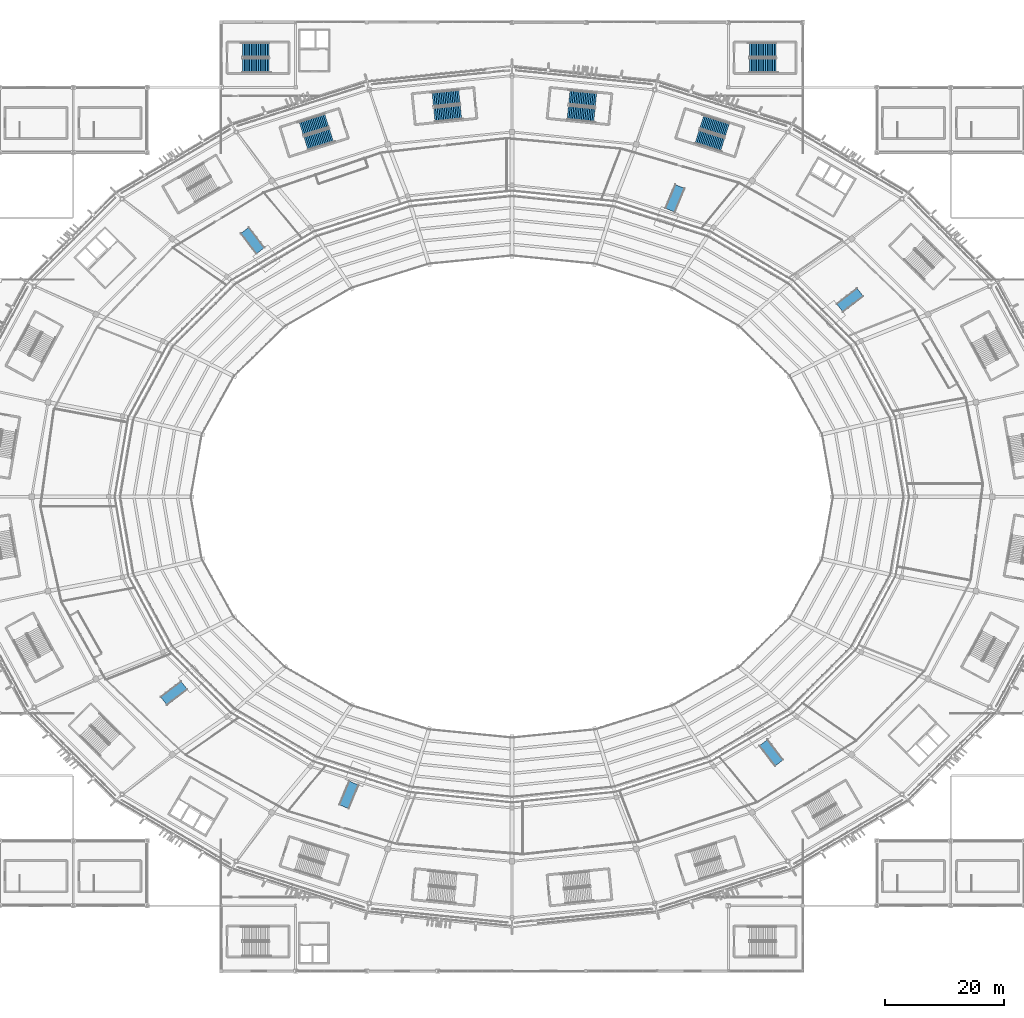
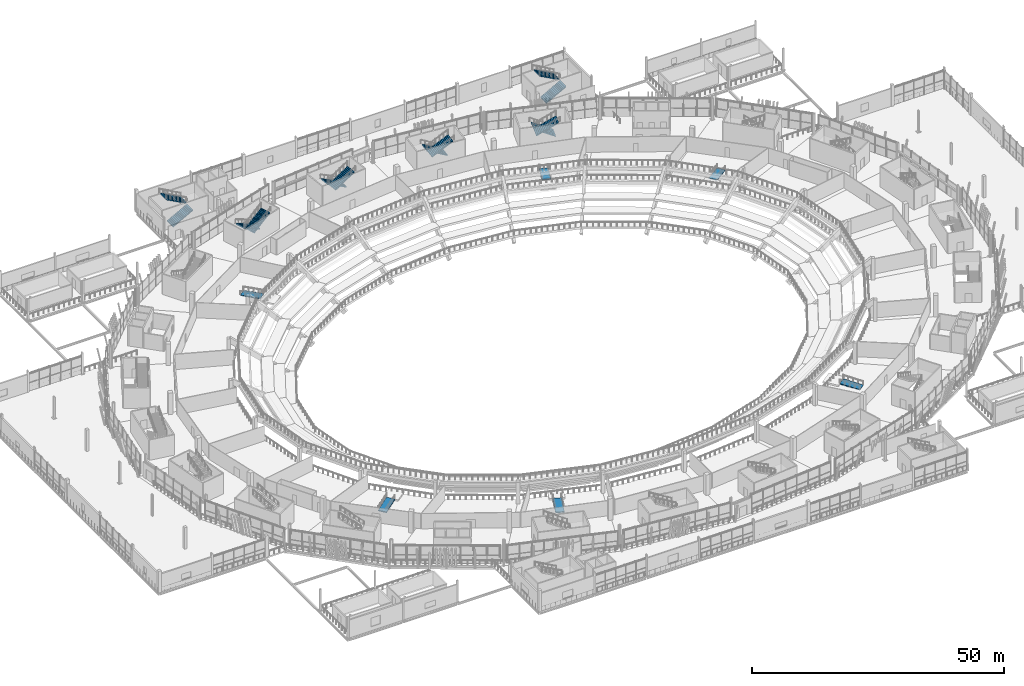
# One storey, part 136 of 178: 12 stair flights, 6 ramp flights, 12 elements without a shape of their own.
"""IFC4 building model written with IfcOpenShell, lengths in metres."""

from ifc_helpers import new_model, si_unit, direction, frame, origin, place, context, subcontext, project, spatial, polyline, outline, extrude, material, layer, layer_set, type_object, element, aggregate, save


model = new_model("IFC4")

# Units and contexts
model_context = context("Model", 3, precision=1e-05, world=origin(), true_north=direction((0.0, 1.0)))
body_context = subcontext(model_context, "Body", "Model", "MODEL_VIEW")
ifc_project = project(units=[si_unit("LENGTHUNIT", "METRE"), si_unit("AREAUNIT", "SQUARE_METRE"), si_unit("VOLUMEUNIT", "CUBIC_METRE"), si_unit("PLANEANGLEUNIT", "RADIAN"), si_unit("MASSUNIT", "GRAM", prefix="KILO")], contexts=[model_context])

# Site, building, storey
site_placement = place(None, origin())
site = spatial("IfcSite", under=ifc_project, at=site_placement, CompositionType="ELEMENT")
building_placement = place(site_placement, origin())
building = spatial("IfcBuilding", under=site, at=building_placement, Name="Zlatoyarsky Gate Stadium", CompositionType="ELEMENT")
storey_placement = place(building_placement, frame((0.0, 0.0, 5.39990234375)))
storey = spatial("IfcBuildingStorey", under=building, at=storey_placement, Name="L01", CompositionType="ELEMENT", Elevation=5.39990234375)

# Stair, stair flights
ifc_material_1 = material(Name="Concrete C40/50", Category="concrete")
stair_type = type_object("IfcStairType", Name="CONCRETE DOGLEG EXIT STAIR H5200", PredefinedType="TWO_STRAIGHT_RUN_STAIR", material=ifc_material_1)
stair_1_placement = place(storey_placement, origin())
stair_1 = element("IfcStair", 1, at=stair_1_placement, inside=storey, type_object=stair_type, Name="L01 Exit Stair ST-03", PredefinedType="TWO_STRAIGHT_RUN_STAIR")
stair_flight_type = type_object("IfcStairFlightType", Name="CONCRETE STAIR FLIGHT 2400 H5200", PredefinedType="STRAIGHT", material=ifc_material_1)
stair_flight_1_placement = place(storey_placement, frame((147.29150390625, 141.820068359375, 0.0), z_axis=(0.0, 0.0, 1.0), x_axis=(-0.953463118711, 0.301509670257, 0.0)))
stair_flight_1 = element("IfcStairFlight", 2, at=stair_flight_1_placement, type_object=stair_flight_type, Name="ST-DG52 flight 1", NumberOfRisers=16, NumberOfTreads=15, PredefinedType="STRAIGHT", RiserHeight=0.1625, TreadLength=0.3, context=body_context, shape_type="SweptSolid", body=[
    extrude(outline(polyline([(-0.006103515625, -0.193359375), (-0.006103515625, 0.0), (0.0, 0.0), (0.0, 0.16259765625), (0.300048828125, 0.16259765625), (0.300048828125, 0.324951171875), (0.60009765625, 0.324951171875), (0.60009765625, 0.487548828125), (0.89990234375, 0.487548828125), (0.89990234375, 0.64990234375), (1.199951171875, 0.64990234375), (1.199951171875, 0.8125), (1.5, 0.8125), (1.5, 0.97509765625), (1.800048828125, 0.97509765625), (1.800048828125, 1.137451171875), (2.10009765625, 1.137451171875), (2.10009765625, 1.300048828125), (2.39990234375, 1.300048828125), (2.39990234375, 1.46240234375), (2.699951171875, 1.46240234375), (2.699951171875, 1.625), (3.0, 1.625), (3.0, 1.78759765625), (3.300048828125, 1.78759765625), (3.300048828125, 1.949951171875), (3.60009765625, 1.949951171875), (3.60009765625, 2.112548828125), (3.89990234375, 2.112548828125), (3.89990234375, 2.27490234375), (4.199951171875, 2.27490234375), (4.199951171875, 2.4375), (4.5, 2.4375), (4.5, 2.60009765625), (4.506103515625, 2.60009765625), (4.506103515625, 2.244140625), (4.5, 2.244140625), (-0.006103515625, -0.193359375)])), frame((0.0, 1.199951171875, 0.0), z_axis=(0.0, -1.0, 0.0), x_axis=(1.0, 0.0, 0.0)), (0.0, 0.0, 1.0), 2.39990234375),
])
stair_flight_2_placement = place(storey_placement, frame((142.217041015625, 140.69775390625, 2.60009765625), z_axis=(0.0, 0.0, 1.0), x_axis=(0.953463118711, -0.301509670257, 0.0)))
stair_flight_2 = element("IfcStairFlight", 3, at=stair_flight_2_placement, type_object=stair_flight_type, Name="ST-DG52 flight 2", NumberOfRisers=16, NumberOfTreads=15, PredefinedType="STRAIGHT", RiserHeight=0.1625, TreadLength=0.3, context=body_context, shape_type="SweptSolid", body=[
    extrude(outline(polyline([(-0.006103515625, -0.193359375), (-0.006103515625, 0.0), (0.0, 0.0), (0.0, 0.16259765625), (0.300048828125, 0.16259765625), (0.300048828125, 0.324951171875), (0.60009765625, 0.324951171875), (0.60009765625, 0.487548828125), (0.89990234375, 0.487548828125), (0.89990234375, 0.64990234375), (1.199951171875, 0.64990234375), (1.199951171875, 0.8125), (1.5, 0.8125), (1.5, 0.97509765625), (1.800048828125, 0.97509765625), (1.800048828125, 1.137451171875), (2.10009765625, 1.137451171875), (2.10009765625, 1.300048828125), (2.39990234375, 1.300048828125), (2.39990234375, 1.46240234375), (2.699951171875, 1.46240234375), (2.699951171875, 1.625), (3.0, 1.625), (3.0, 1.78759765625), (3.300048828125, 1.78759765625), (3.300048828125, 1.949951171875), (3.60009765625, 1.949951171875), (3.60009765625, 2.112548828125), (3.89990234375, 2.112548828125), (3.89990234375, 2.27490234375), (4.199951171875, 2.27490234375), (4.199951171875, 2.4375), (4.5, 2.4375), (4.5, 2.60009765625), (4.506103515625, 2.60009765625), (4.506103515625, 2.244140625), (4.5, 2.244140625), (-0.006103515625, -0.193359375)])), frame((0.0, 1.199951171875, 0.0), z_axis=(0.0, -1.0, 0.0), x_axis=(1.0, 0.0, 0.0)), (0.0, 0.0, 1.0), 2.39990234375),
])
aggregate(stair_1, [stair_flight_1, stair_flight_2])

stair_2_placement = place(storey_placement, origin())
stair_2 = element("IfcStair", 4, at=stair_2_placement, inside=storey, type_object=stair_type, Name="L01 Exit Stair ST-04", PredefinedType="TWO_STRAIGHT_RUN_STAIR")
stair_flight_3_placement = place(storey_placement, frame((102.123779296875, 147.4267578125, 0.0), z_axis=(0.0, 0.0, 1.0), x_axis=(-0.994986861964, -0.100005722426, 0.0)))
stair_flight_3 = element("IfcStairFlight", 5, at=stair_flight_3_placement, type_object=stair_flight_type, Name="ST-DG52 flight 1", NumberOfRisers=16, NumberOfTreads=15, PredefinedType="STRAIGHT", RiserHeight=0.1625, TreadLength=0.3, context=body_context, shape_type="SweptSolid", body=[
    extrude(outline(polyline([(-0.006103515625, -0.193359375), (-0.006103515625, 0.0), (0.0, 0.0), (0.0, 0.16259765625), (0.300048828125, 0.16259765625), (0.300048828125, 0.324951171875), (0.60009765625, 0.324951171875), (0.60009765625, 0.487548828125), (0.89990234375, 0.487548828125), (0.89990234375, 0.64990234375), (1.199951171875, 0.64990234375), (1.199951171875, 0.8125), (1.5, 0.8125), (1.5, 0.97509765625), (1.800048828125, 0.97509765625), (1.800048828125, 1.137451171875), (2.10009765625, 1.137451171875), (2.10009765625, 1.300048828125), (2.39990234375, 1.300048828125), (2.39990234375, 1.46240234375), (2.699951171875, 1.46240234375), (2.699951171875, 1.625), (3.0, 1.625), (3.0, 1.78759765625), (3.300048828125, 1.78759765625), (3.300048828125, 1.949951171875), (3.60009765625, 1.949951171875), (3.60009765625, 2.112548828125), (3.89990234375, 2.112548828125), (3.89990234375, 2.27490234375), (4.199951171875, 2.27490234375), (4.199951171875, 2.4375), (4.5, 2.4375), (4.5, 2.60009765625), (4.506103515625, 2.60009765625), (4.506103515625, 2.244140625), (4.5, 2.244140625), (-0.006103515625, -0.193359375)])), frame((0.0, 1.199951171875, 0.0), z_axis=(0.0, -1.0, 0.0), x_axis=(1.0, 0.0, 0.0)), (0.0, 0.0, 1.0), 2.39990234375),
])
stair_flight_4_placement = place(storey_placement, frame((97.906494140625, 144.389892578125, 2.60009765625), z_axis=(0.0, 0.0, 1.0), x_axis=(0.994986861964, 0.100005722426, 0.0)))
stair_flight_4 = element("IfcStairFlight", 6, at=stair_flight_4_placement, type_object=stair_flight_type, Name="ST-DG52 flight 2", NumberOfRisers=16, NumberOfTreads=15, PredefinedType="STRAIGHT", RiserHeight=0.1625, TreadLength=0.3, context=body_context, shape_type="SweptSolid", body=[
    extrude(outline(polyline([(-0.006103515625, -0.193359375), (-0.006103515625, 0.0), (0.0, 0.0), (0.0, 0.16259765625), (0.300048828125, 0.16259765625), (0.300048828125, 0.324951171875), (0.60009765625, 0.324951171875), (0.60009765625, 0.487548828125), (0.89990234375, 0.487548828125), (0.89990234375, 0.64990234375), (1.199951171875, 0.64990234375), (1.199951171875, 0.8125), (1.5, 0.8125), (1.5, 0.97509765625), (1.800048828125, 0.97509765625), (1.800048828125, 1.137451171875), (2.10009765625, 1.137451171875), (2.10009765625, 1.300048828125), (2.39990234375, 1.300048828125), (2.39990234375, 1.46240234375), (2.699951171875, 1.46240234375), (2.699951171875, 1.625), (3.0, 1.625), (3.0, 1.78759765625), (3.300048828125, 1.78759765625), (3.300048828125, 1.949951171875), (3.60009765625, 1.949951171875), (3.60009765625, 2.112548828125), (3.89990234375, 2.112548828125), (3.89990234375, 2.27490234375), (4.199951171875, 2.27490234375), (4.199951171875, 2.4375), (4.5, 2.4375), (4.5, 2.60009765625), (4.506103515625, 2.60009765625), (4.506103515625, 2.244140625), (4.5, 2.244140625), (-0.006103515625, -0.193359375)])), frame((0.0, 1.199951171875, 0.0), z_axis=(0.0, -1.0, 0.0), x_axis=(1.0, 0.0, 0.0)), (0.0, 0.0, 1.0), 2.39990234375),
])
aggregate(stair_2, [stair_flight_3, stair_flight_4])

stair_3_placement = place(storey_placement, origin())
stair_3 = element("IfcStair", 7, at=stair_3_placement, inside=storey, type_object=stair_type, Name="L01 Exit Stair ST-14", PredefinedType="TWO_STRAIGHT_RUN_STAIR")
stair_flight_5_placement = place(storey_placement, frame((79.76171875, 143.41796875, 0.0), z_axis=(0.0, 0.0, 1.0), x_axis=(-0.953463118711, -0.301509670257, 0.0)))
stair_flight_5 = element("IfcStairFlight", 8, at=stair_flight_5_placement, type_object=stair_flight_type, Name="ST-DG52 flight 1", NumberOfRisers=16, NumberOfTreads=15, PredefinedType="STRAIGHT", RiserHeight=0.1625, TreadLength=0.3, context=body_context, shape_type="SweptSolid", body=[
    extrude(outline(polyline([(-0.006103515625, -0.193359375), (-0.006103515625, 0.0), (0.0, 0.0), (0.0, 0.16259765625), (0.300048828125, 0.16259765625), (0.300048828125, 0.324951171875), (0.60009765625, 0.324951171875), (0.60009765625, 0.487548828125), (0.89990234375, 0.487548828125), (0.89990234375, 0.64990234375), (1.199951171875, 0.64990234375), (1.199951171875, 0.8125), (1.5, 0.8125), (1.5, 0.97509765625), (1.800048828125, 0.97509765625), (1.800048828125, 1.137451171875), (2.10009765625, 1.137451171875), (2.10009765625, 1.300048828125), (2.39990234375, 1.300048828125), (2.39990234375, 1.46240234375), (2.699951171875, 1.46240234375), (2.699951171875, 1.625), (3.0, 1.625), (3.0, 1.78759765625), (3.300048828125, 1.78759765625), (3.300048828125, 1.949951171875), (3.60009765625, 1.949951171875), (3.60009765625, 2.112548828125), (3.89990234375, 2.112548828125), (3.89990234375, 2.27490234375), (4.199951171875, 2.27490234375), (4.199951171875, 2.4375), (4.5, 2.4375), (4.5, 2.60009765625), (4.506103515625, 2.60009765625), (4.506103515625, 2.244140625), (4.5, 2.244140625), (-0.006103515625, -0.193359375)])), frame((0.0, 1.199951171875, 0.0), z_axis=(0.0, -1.0, 0.0), x_axis=(1.0, 0.0, 0.0)), (0.0, 0.0, 1.0), 2.39990234375),
])
stair_flight_6_placement = place(storey_placement, frame((76.255126953125, 139.582275390625, 2.60009765625), z_axis=(0.0, 0.0, 1.0), x_axis=(0.953463118711, 0.301509670257, 0.0)))
stair_flight_6 = element("IfcStairFlight", 9, at=stair_flight_6_placement, type_object=stair_flight_type, Name="ST-DG52 flight 2", NumberOfRisers=16, NumberOfTreads=15, PredefinedType="STRAIGHT", RiserHeight=0.1625, TreadLength=0.3, context=body_context, shape_type="SweptSolid", body=[
    extrude(outline(polyline([(-0.006103515625, -0.193359375), (-0.006103515625, 0.0), (0.0, 0.0), (0.0, 0.16259765625), (0.300048828125, 0.16259765625), (0.300048828125, 0.324951171875), (0.60009765625, 0.324951171875), (0.60009765625, 0.487548828125), (0.89990234375, 0.487548828125), (0.89990234375, 0.64990234375), (1.199951171875, 0.64990234375), (1.199951171875, 0.8125), (1.5, 0.8125), (1.5, 0.97509765625), (1.800048828125, 0.97509765625), (1.800048828125, 1.137451171875), (2.10009765625, 1.137451171875), (2.10009765625, 1.300048828125), (2.39990234375, 1.300048828125), (2.39990234375, 1.46240234375), (2.699951171875, 1.46240234375), (2.699951171875, 1.625), (3.0, 1.625), (3.0, 1.78759765625), (3.300048828125, 1.78759765625), (3.300048828125, 1.949951171875), (3.60009765625, 1.949951171875), (3.60009765625, 2.112548828125), (3.89990234375, 2.112548828125), (3.89990234375, 2.27490234375), (4.199951171875, 2.27490234375), (4.199951171875, 2.4375), (4.5, 2.4375), (4.5, 2.60009765625), (4.506103515625, 2.60009765625), (4.506103515625, 2.244140625), (4.5, 2.244140625), (-0.006103515625, -0.193359375)])), frame((0.0, 1.199951171875, 0.0), z_axis=(0.0, -1.0, 0.0), x_axis=(1.0, 0.0, 0.0)), (0.0, 0.0, 1.0), 2.39990234375),
])
aggregate(stair_3, [stair_flight_5, stair_flight_6])

stair_4_placement = place(storey_placement, origin())
stair_4 = element("IfcStair", 10, at=stair_4_placement, inside=storey, type_object=stair_type, Name="L01 Exit Stair ST-17", PredefinedType="TWO_STRAIGHT_RUN_STAIR")
stair_flight_7_placement = place(storey_placement, frame((125.149658203125, 146.896728515625, 0.0), z_axis=(0.0, 0.0, 1.0), x_axis=(-0.994986861964, 0.100005722426, 0.0)))
stair_flight_7 = element("IfcStairFlight", 11, at=stair_flight_7_placement, type_object=stair_flight_type, Name="ST-DG52 flight 1", NumberOfRisers=16, NumberOfTreads=15, PredefinedType="STRAIGHT", RiserHeight=0.1625, TreadLength=0.3, context=body_context, shape_type="SweptSolid", body=[
    extrude(outline(polyline([(-0.006103515625, -0.193359375), (-0.006103515625, 0.0), (0.0, 0.0), (0.0, 0.16259765625), (0.300048828125, 0.16259765625), (0.300048828125, 0.324951171875), (0.60009765625, 0.324951171875), (0.60009765625, 0.487548828125), (0.89990234375, 0.487548828125), (0.89990234375, 0.64990234375), (1.199951171875, 0.64990234375), (1.199951171875, 0.8125), (1.5, 0.8125), (1.5, 0.97509765625), (1.800048828125, 0.97509765625), (1.800048828125, 1.137451171875), (2.10009765625, 1.137451171875), (2.10009765625, 1.300048828125), (2.39990234375, 1.300048828125), (2.39990234375, 1.46240234375), (2.699951171875, 1.46240234375), (2.699951171875, 1.625), (3.0, 1.625), (3.0, 1.78759765625), (3.300048828125, 1.78759765625), (3.300048828125, 1.949951171875), (3.60009765625, 1.949951171875), (3.60009765625, 2.112548828125), (3.89990234375, 2.112548828125), (3.89990234375, 2.27490234375), (4.199951171875, 2.27490234375), (4.199951171875, 2.4375), (4.5, 2.4375), (4.5, 2.60009765625), (4.506103515625, 2.60009765625), (4.506103515625, 2.244140625), (4.5, 2.244140625), (-0.006103515625, -0.193359375)])), frame((0.0, 1.199951171875, 0.0), z_axis=(0.0, -1.0, 0.0), x_axis=(1.0, 0.0, 0.0)), (0.0, 0.0, 1.0), 2.39990234375),
])
stair_flight_8_placement = place(storey_placement, frame((120.412109375, 144.760009765625, 2.60009765625), z_axis=(0.0, 0.0, 1.0), x_axis=(0.994986861964, -0.100005722426, 0.0)))
stair_flight_8 = element("IfcStairFlight", 12, at=stair_flight_8_placement, type_object=stair_flight_type, Name="ST-DG52 flight 2", NumberOfRisers=16, NumberOfTreads=15, PredefinedType="STRAIGHT", RiserHeight=0.1625, TreadLength=0.3, context=body_context, shape_type="SweptSolid", body=[
    extrude(outline(polyline([(-0.006103515625, -0.193359375), (-0.006103515625, 0.0), (0.0, 0.0), (0.0, 0.16259765625), (0.300048828125, 0.16259765625), (0.300048828125, 0.324951171875), (0.60009765625, 0.324951171875), (0.60009765625, 0.487548828125), (0.89990234375, 0.487548828125), (0.89990234375, 0.64990234375), (1.199951171875, 0.64990234375), (1.199951171875, 0.8125), (1.5, 0.8125), (1.5, 0.97509765625), (1.800048828125, 0.97509765625), (1.800048828125, 1.137451171875), (2.10009765625, 1.137451171875), (2.10009765625, 1.300048828125), (2.39990234375, 1.300048828125), (2.39990234375, 1.46240234375), (2.699951171875, 1.46240234375), (2.699951171875, 1.625), (3.0, 1.625), (3.0, 1.78759765625), (3.300048828125, 1.78759765625), (3.300048828125, 1.949951171875), (3.60009765625, 1.949951171875), (3.60009765625, 2.112548828125), (3.89990234375, 2.112548828125), (3.89990234375, 2.27490234375), (4.199951171875, 2.27490234375), (4.199951171875, 2.4375), (4.5, 2.4375), (4.5, 2.60009765625), (4.506103515625, 2.60009765625), (4.506103515625, 2.244140625), (4.5, 2.244140625), (-0.006103515625, -0.193359375)])), frame((0.0, 1.199951171875, 0.0), z_axis=(0.0, -1.0, 0.0), x_axis=(1.0, 0.0, 0.0)), (0.0, 0.0, 1.0), 2.39990234375),
])
aggregate(stair_4, [stair_flight_7, stair_flight_8])

stair_5_placement = place(storey_placement, origin())
stair_5 = element("IfcStair", 13, at=stair_5_placement, inside=storey, type_object=stair_type, Name="L01 Exit Stair ST-31", PredefinedType="TWO_STRAIGHT_RUN_STAIR")
stair_flight_9_placement = place(storey_placement, frame((65.550048828125, 152.699951171875, 0.0), z_axis=(0.0, 0.0, 1.0), x_axis=(1.0, 0.0, 0.0)))
stair_flight_9 = element("IfcStairFlight", 14, at=stair_flight_9_placement, type_object=stair_flight_type, Name="ST-DG52 flight 1", NumberOfRisers=16, NumberOfTreads=15, PredefinedType="STRAIGHT", RiserHeight=0.1625, TreadLength=0.3, context=body_context, shape_type="SweptSolid", body=[
    extrude(outline(polyline([(-0.006103515625, -0.193359375), (-0.006103515625, 0.0), (0.0, 0.0), (0.0, 0.16259765625), (0.300048828125, 0.16259765625), (0.300048828125, 0.324951171875), (0.60009765625, 0.324951171875), (0.60009765625, 0.487548828125), (0.89990234375, 0.487548828125), (0.89990234375, 0.64990234375), (1.199951171875, 0.64990234375), (1.199951171875, 0.8125), (1.5, 0.8125), (1.5, 0.97509765625), (1.800048828125, 0.97509765625), (1.800048828125, 1.137451171875), (2.10009765625, 1.137451171875), (2.10009765625, 1.300048828125), (2.39990234375, 1.300048828125), (2.39990234375, 1.46240234375), (2.699951171875, 1.46240234375), (2.699951171875, 1.625), (3.0, 1.625), (3.0, 1.78759765625), (3.300048828125, 1.78759765625), (3.300048828125, 1.949951171875), (3.60009765625, 1.949951171875), (3.60009765625, 2.112548828125), (3.89990234375, 2.112548828125), (3.89990234375, 2.27490234375), (4.199951171875, 2.27490234375), (4.199951171875, 2.4375), (4.5, 2.4375), (4.5, 2.60009765625), (4.506103515625, 2.60009765625), (4.506103515625, 2.244140625), (4.5, 2.244140625), (-0.006103515625, -0.193359375)])), frame((0.0, 1.199951171875, 0.0), z_axis=(0.0, -1.0, 0.0), x_axis=(1.0, 0.0, 0.0)), (0.0, 0.0, 1.0), 2.39990234375),
])
stair_flight_10_placement = place(storey_placement, frame((70.050048828125, 155.300048828125, 2.60009765625), z_axis=(0.0, 0.0, 1.0), x_axis=(-1.0, 0.0, 0.0)))
stair_flight_10 = element("IfcStairFlight", 15, at=stair_flight_10_placement, type_object=stair_flight_type, Name="ST-DG52 flight 2", NumberOfRisers=16, NumberOfTreads=15, PredefinedType="STRAIGHT", RiserHeight=0.1625, TreadLength=0.3, context=body_context, shape_type="SweptSolid", body=[
    extrude(outline(polyline([(-0.006103515625, -0.193359375), (-0.006103515625, 0.0), (0.0, 0.0), (0.0, 0.16259765625), (0.300048828125, 0.16259765625), (0.300048828125, 0.324951171875), (0.60009765625, 0.324951171875), (0.60009765625, 0.487548828125), (0.89990234375, 0.487548828125), (0.89990234375, 0.64990234375), (1.199951171875, 0.64990234375), (1.199951171875, 0.8125), (1.5, 0.8125), (1.5, 0.97509765625), (1.800048828125, 0.97509765625), (1.800048828125, 1.137451171875), (2.10009765625, 1.137451171875), (2.10009765625, 1.300048828125), (2.39990234375, 1.300048828125), (2.39990234375, 1.46240234375), (2.699951171875, 1.46240234375), (2.699951171875, 1.625), (3.0, 1.625), (3.0, 1.78759765625), (3.300048828125, 1.78759765625), (3.300048828125, 1.949951171875), (3.60009765625, 1.949951171875), (3.60009765625, 2.112548828125), (3.89990234375, 2.112548828125), (3.89990234375, 2.27490234375), (4.199951171875, 2.27490234375), (4.199951171875, 2.4375), (4.5, 2.4375), (4.5, 2.60009765625), (4.506103515625, 2.60009765625), (4.506103515625, 2.244140625), (4.5, 2.244140625), (-0.006103515625, -0.193359375)])), frame((0.0, 1.199951171875, 0.0), z_axis=(0.0, -1.0, 0.0), x_axis=(1.0, 0.0, 0.0)), (0.0, 0.0, 1.0), 2.39990234375),
])
aggregate(stair_5, [stair_flight_9, stair_flight_10])

stair_6_placement = place(storey_placement, origin())
stair_6 = element("IfcStair", 16, at=stair_6_placement, inside=storey, type_object=stair_type, Name="L01 Exit Stair ST-32", PredefinedType="TWO_STRAIGHT_RUN_STAIR")
stair_flight_11_placement = place(storey_placement, frame((151.050048828125, 152.699951171875, 0.0), z_axis=(0.0, 0.0, 1.0), x_axis=(1.0, 0.0, 0.0)))
stair_flight_11 = element("IfcStairFlight", 17, at=stair_flight_11_placement, type_object=stair_flight_type, Name="ST-DG52 flight 1", NumberOfRisers=16, NumberOfTreads=15, PredefinedType="STRAIGHT", RiserHeight=0.1625, TreadLength=0.3, context=body_context, shape_type="SweptSolid", body=[
    extrude(outline(polyline([(-0.006103515625, -0.193359375), (-0.006103515625, 0.0), (0.0, 0.0), (0.0, 0.16259765625), (0.300048828125, 0.16259765625), (0.300048828125, 0.324951171875), (0.60009765625, 0.324951171875), (0.60009765625, 0.487548828125), (0.89990234375, 0.487548828125), (0.89990234375, 0.64990234375), (1.199951171875, 0.64990234375), (1.199951171875, 0.8125), (1.5, 0.8125), (1.5, 0.97509765625), (1.800048828125, 0.97509765625), (1.800048828125, 1.137451171875), (2.10009765625, 1.137451171875), (2.10009765625, 1.300048828125), (2.39990234375, 1.300048828125), (2.39990234375, 1.46240234375), (2.699951171875, 1.46240234375), (2.699951171875, 1.625), (3.0, 1.625), (3.0, 1.78759765625), (3.300048828125, 1.78759765625), (3.300048828125, 1.949951171875), (3.60009765625, 1.949951171875), (3.60009765625, 2.112548828125), (3.89990234375, 2.112548828125), (3.89990234375, 2.27490234375), (4.199951171875, 2.27490234375), (4.199951171875, 2.4375), (4.5, 2.4375), (4.5, 2.60009765625), (4.506103515625, 2.60009765625), (4.506103515625, 2.244140625), (4.5, 2.244140625), (-0.006103515625, -0.193359375)])), frame((0.0, 1.199951171875, 0.0), z_axis=(0.0, -1.0, 0.0), x_axis=(1.0, 0.0, 0.0)), (0.0, 0.0, 1.0), 2.39990234375),
])
stair_flight_12_placement = place(storey_placement, frame((155.550048828125, 155.300048828125, 2.60009765625), z_axis=(0.0, 0.0, 1.0), x_axis=(-1.0, 0.0, 0.0)))
stair_flight_12 = element("IfcStairFlight", 18, at=stair_flight_12_placement, type_object=stair_flight_type, Name="ST-DG52 flight 2", NumberOfRisers=16, NumberOfTreads=15, PredefinedType="STRAIGHT", RiserHeight=0.1625, TreadLength=0.3, context=body_context, shape_type="SweptSolid", body=[
    extrude(outline(polyline([(-0.006103515625, -0.193359375), (-0.006103515625, 0.0), (0.0, 0.0), (0.0, 0.16259765625), (0.300048828125, 0.16259765625), (0.300048828125, 0.324951171875), (0.60009765625, 0.324951171875), (0.60009765625, 0.487548828125), (0.89990234375, 0.487548828125), (0.89990234375, 0.64990234375), (1.199951171875, 0.64990234375), (1.199951171875, 0.8125), (1.5, 0.8125), (1.5, 0.97509765625), (1.800048828125, 0.97509765625), (1.800048828125, 1.137451171875), (2.10009765625, 1.137451171875), (2.10009765625, 1.300048828125), (2.39990234375, 1.300048828125), (2.39990234375, 1.46240234375), (2.699951171875, 1.46240234375), (2.699951171875, 1.625), (3.0, 1.625), (3.0, 1.78759765625), (3.300048828125, 1.78759765625), (3.300048828125, 1.949951171875), (3.60009765625, 1.949951171875), (3.60009765625, 2.112548828125), (3.89990234375, 2.112548828125), (3.89990234375, 2.27490234375), (4.199951171875, 2.27490234375), (4.199951171875, 2.4375), (4.5, 2.4375), (4.5, 2.60009765625), (4.506103515625, 2.60009765625), (4.506103515625, 2.244140625), (4.5, 2.244140625), (-0.006103515625, -0.193359375)])), frame((0.0, 1.199951171875, 0.0), z_axis=(0.0, -1.0, 0.0), x_axis=(1.0, 0.0, 0.0)), (0.0, 0.0, 1.0), 2.39990234375),
])
aggregate(stair_6, [stair_flight_11, stair_flight_12])

# Ramp, ramp flight
ifc_material_2 = material(Name="Concrete C35/45", Category="concrete")
ramp_type = type_object("IfcRampType", Name="CONCRETE ACCESSIBLE SPECTATOR RAMP", PredefinedType="STRAIGHT_RUN_RAMP", material=ifc_material_2)
ramp_1_placement = place(storey_placement, origin())
ramp_1 = element("IfcRamp", 19, at=ramp_1_placement, inside=storey, type_object=ramp_type, material=ifc_material_2, Name="L01 accessible wheelchair viewing ramp AR-01", PredefinedType="STRAIGHT_RUN_RAMP")
ifc_layer = layer(ifc_material_2, 0.219970703125)
ifc_layer_set = layer_set([ifc_layer], Name="Concrete C35/45")
ramp_flight_type = type_object("IfcRampFlightType", Name="CONCRETE ACCESSIBLE RAMP FLIGHT 1800", PredefinedType="STRAIGHT", material=ifc_layer_set)
ramp_flight_1_placement = place(storey_placement, frame((169.7080078125, 114.4560546875, 0.0), z_axis=(0.0, 0.0, 1.0), x_axis=(-0.793353340291, -0.608761429009, 0.0)))
ramp_flight_1 = element("IfcRampFlight", 20, at=ramp_flight_1_placement, type_object=ramp_flight_type, material=ifc_material_2, Name="AR-01 sloped accessible ramp flight", PredefinedType="STRAIGHT", context=body_context, shape_type="SweptSolid", body=[
    extrude(outline(polyline([(-0.006103515625, 0.0), (4.326171875, 0.360107421875), (4.326171875, 0.14013671875), (-0.006103515625, -0.219970703125), (-0.006103515625, 0.0)])), frame((0.0, 0.89990234375, 0.0), z_axis=(0.0, -1.0, 0.0), x_axis=(1.0, 0.0, 0.0)), (0.0, 0.0, 1.0), 1.800048828125),
])
aggregate(ramp_1, [ramp_flight_1])

ramp_2_placement = place(storey_placement, origin())
ramp_2 = element("IfcRamp", 21, at=ramp_2_placement, inside=storey, type_object=ramp_type, material=ifc_material_2, Name="L01 accessible wheelchair viewing ramp AR-02", PredefinedType="STRAIGHT_RUN_RAMP")
ramp_flight_2_placement = place(storey_placement, frame((65.951904296875, 124.904052734375, 0.0), z_axis=(0.0, 0.0, 1.0), x_axis=(0.608761429009, -0.793353340291, 0.0)))
ramp_flight_2 = element("IfcRampFlight", 22, at=ramp_flight_2_placement, type_object=ramp_flight_type, material=ifc_material_2, Name="AR-02 sloped accessible ramp flight", PredefinedType="STRAIGHT", context=body_context, shape_type="SweptSolid", body=[
    extrude(outline(polyline([(-0.006103515625, 0.0), (4.326171875, 0.360107421875), (4.326171875, 0.14013671875), (-0.006103515625, -0.219970703125), (-0.006103515625, 0.0)])), frame((0.0, 0.89990234375, 0.0), z_axis=(0.0, -1.0, 0.0), x_axis=(1.0, 0.0, 0.0)), (0.0, 0.0, 1.0), 1.800048828125),
])
aggregate(ramp_2, [ramp_flight_2])

ramp_3_placement = place(storey_placement, origin())
ramp_3 = element("IfcRamp", 23, at=ramp_3_placement, inside=storey, type_object=ramp_type, material=ifc_material_2, Name="L01 accessible wheelchair viewing ramp AR-03", PredefinedType="STRAIGHT_RUN_RAMP")
ramp_flight_3_placement = place(storey_placement, frame((52.2919921875, 45.5439453125, 0.0), z_axis=(0.0, 0.0, 1.0), x_axis=(0.793353340291, 0.608761429009, 0.0)))
ramp_flight_3 = element("IfcRampFlight", 24, at=ramp_flight_3_placement, type_object=ramp_flight_type, material=ifc_material_2, Name="AR-03 sloped accessible ramp flight", PredefinedType="STRAIGHT", context=body_context, shape_type="SweptSolid", body=[
    extrude(outline(polyline([(-0.006103515625, 0.0), (4.326171875, 0.360107421875), (4.326171875, 0.14013671875), (-0.006103515625, -0.219970703125), (-0.006103515625, 0.0)])), frame((0.0, 0.89990234375, 0.0), z_axis=(0.0, -1.0, 0.0), x_axis=(1.0, 0.0, 0.0)), (0.0, 0.0, 1.0), 1.800048828125),
])
aggregate(ramp_3, [ramp_flight_3])

ramp_4_placement = place(storey_placement, origin())
ramp_4 = element("IfcRamp", 25, at=ramp_4_placement, inside=storey, type_object=ramp_type, material=ifc_material_2, Name="L01 accessible wheelchair viewing ramp AR-04", PredefinedType="STRAIGHT_RUN_RAMP")
ramp_flight_4_placement = place(storey_placement, frame((156.048095703125, 35.095947265625, 0.0), z_axis=(0.0, 0.0, 1.0), x_axis=(-0.608761429009, 0.793353340291, 0.0)))
ramp_flight_4 = element("IfcRampFlight", 26, at=ramp_flight_4_placement, type_object=ramp_flight_type, material=ifc_material_2, Name="AR-04 sloped accessible ramp flight", PredefinedType="STRAIGHT", context=body_context, shape_type="SweptSolid", body=[
    extrude(outline(polyline([(-0.006103515625, 0.0), (4.326171875, 0.360107421875), (4.326171875, 0.14013671875), (-0.006103515625, -0.219970703125), (-0.006103515625, 0.0)])), frame((0.0, 0.89990234375, 0.0), z_axis=(0.0, -1.0, 0.0), x_axis=(1.0, 0.0, 0.0)), (0.0, 0.0, 1.0), 1.800048828125),
])
aggregate(ramp_4, [ramp_flight_4])

ramp_5_placement = place(storey_placement, origin())
ramp_5 = element("IfcRamp", 27, at=ramp_5_placement, inside=storey, type_object=ramp_type, material=ifc_material_2, Name="L01 accessible wheelchair viewing ramp AR-05", PredefinedType="STRAIGHT_RUN_RAMP")
ramp_flight_5_placement = place(storey_placement, frame((139.319091796875, 132.2919921875, 0.0), z_axis=(0.0, 0.0, 1.0), x_axis=(-0.382683432365, -0.923879532511, 0.0)))
ramp_flight_5 = element("IfcRampFlight", 28, at=ramp_flight_5_placement, type_object=ramp_flight_type, material=ifc_material_2, Name="AR-05 sloped accessible ramp flight", PredefinedType="STRAIGHT", context=body_context, shape_type="SweptSolid", body=[
    extrude(outline(polyline([(-0.006103515625, 0.0), (4.326171875, 0.360107421875), (4.326171875, 0.14013671875), (-0.006103515625, -0.219970703125), (-0.006103515625, 0.0)])), frame((0.0, 0.89990234375, 0.0), z_axis=(0.0, -1.0, 0.0), x_axis=(1.0, 0.0, 0.0)), (0.0, 0.0, 1.0), 1.800048828125),
])
aggregate(ramp_5, [ramp_flight_5])

ramp_6_placement = place(storey_placement, origin())
ramp_6 = element("IfcRamp", 29, at=ramp_6_placement, inside=storey, type_object=ramp_type, material=ifc_material_2, Name="L01 accessible wheelchair viewing ramp AR-06", PredefinedType="STRAIGHT_RUN_RAMP")
ramp_flight_6_placement = place(storey_placement, frame((82.680908203125, 27.7080078125, 0.0), z_axis=(0.0, 0.0, 1.0), x_axis=(0.382683432365, 0.923879532511, 0.0)))
ramp_flight_6 = element("IfcRampFlight", 30, at=ramp_flight_6_placement, type_object=ramp_flight_type, material=ifc_material_2, Name="AR-06 sloped accessible ramp flight", PredefinedType="STRAIGHT", context=body_context, shape_type="SweptSolid", body=[
    extrude(outline(polyline([(-0.006103515625, 0.0), (4.326171875, 0.360107421875), (4.326171875, 0.14013671875), (-0.006103515625, -0.219970703125), (-0.006103515625, 0.0)])), frame((0.0, 0.89990234375, 0.0), z_axis=(0.0, -1.0, 0.0), x_axis=(1.0, 0.0, 0.0)), (0.0, 0.0, 1.0), 1.800048828125),
])
aggregate(ramp_6, [ramp_flight_6])

save(model, "model.ifc")
